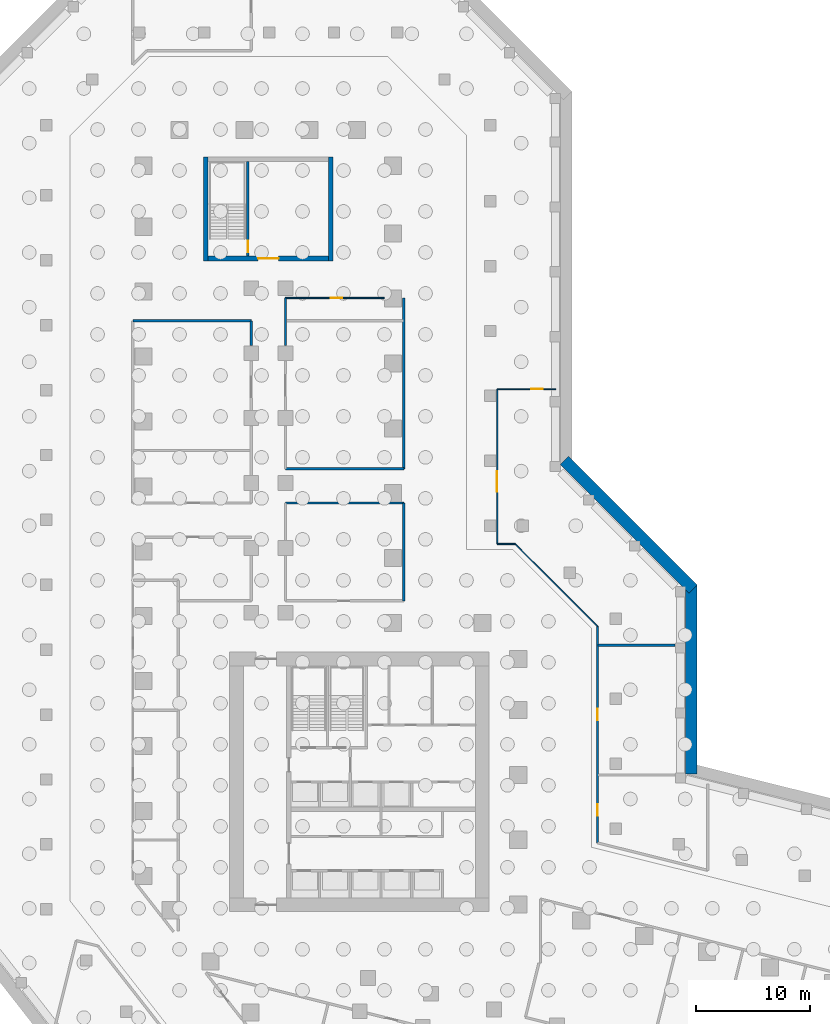
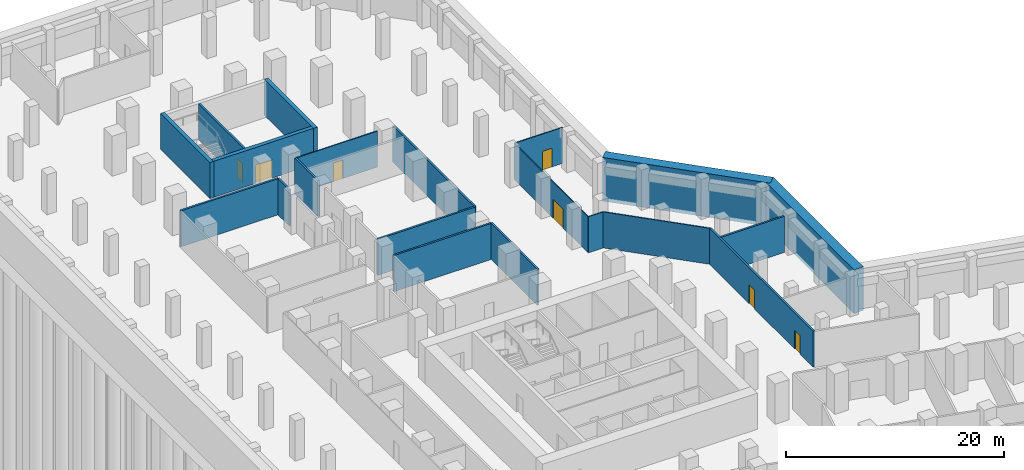
# One storey, part 11 of 15: 20 walls, 7 doors, 7 openings.
"""IFC4 building model written with IfcOpenShell, lengths in metres."""

from ifc_helpers import new_model, si_unit, direction, frame, frame_2d, origin, place, context, subcontext, project, spatial, rectangle, extrude, material, layer, layer_set, type_object, element, fill, save


model = new_model("IFC4")

# Units and contexts
model_context = context("Model", 3, precision=1e-05, world=origin(), true_north=direction((0.0, 1.0)))
body_context = subcontext(model_context, "Body", "Model", "MODEL_VIEW")
ifc_project = project(units=[si_unit("LENGTHUNIT", "METRE"), si_unit("AREAUNIT", "SQUARE_METRE"), si_unit("VOLUMEUNIT", "CUBIC_METRE"), si_unit("PLANEANGLEUNIT", "RADIAN"), si_unit("MASSUNIT", "GRAM", prefix="KILO")], contexts=[model_context])

# Site, building, storey
site_placement = place(None, origin())
site = spatial("IfcSite", under=ifc_project, at=site_placement, CompositionType="ELEMENT")
building_placement = place(site_placement, origin())
building = spatial("IfcBuilding", under=site, at=building_placement, Name="Meshkara Civic Tower", CompositionType="ELEMENT")
storey_placement = place(building_placement, frame((0.0, 0.0, -9.0)))
storey = spatial("IfcBuildingStorey", under=building, at=storey_placement, Name="B2", CompositionType="ELEMENT", Elevation=-9.0)

# Wall, opening, door
ifc_material_1 = material(Name="Corridor wall 100")
ifc_layer_1 = layer(ifc_material_1, 0.10009765625)
ifc_layer_set_1 = layer_set([ifc_layer_1], Name="Corridor wall 100")
wall_type_1 = type_object("IfcWallType", Name="Corridor wall 100", PredefinedType="PARTITIONING", material=ifc_layer_set_1)
wall_1_placement = place(storey_placement, frame((12.89990234375, 68.0, 0.0), z_axis=(0.0, 0.0, 1.0), x_axis=(1.0, 0.0, 0.0)))
wall_1 = element("IfcWall", 1, at=wall_1_placement, inside=storey, type_object=wall_type_1, Name="B2-R034", PredefinedType="PARTITIONING", context=body_context, shape_type="SweptSolid", body=[
    extrude(rectangle(XDim=8.68017578125, YDim=0.10009765625, at=frame_2d((4.340087890625, 0.0))), origin(), (0.0, 0.0, 1.0), 4.050048828125),
])
opening_1_placement = place(wall_1_placement, frame((3.97998046875, 0.0, 0.0)))
opening_1 = element("IfcOpeningElement", 2, at=opening_1_placement, cuts=wall_1, Name="Opening B2-P028", PredefinedType="OPENING", context=body_context, shape_type="SweptSolid", body=[
    extrude(rectangle(XDim=1.0, YDim=2.10009765625, at=frame_2d((0.5, 1.050048828125))), frame((0.0, 0.06005859375, 0.0), z_axis=(0.0, -1.0, 0.0), x_axis=(1.0, 0.0, 0.0)), (0.0, 0.0, 1.0), 0.1201171875),
])
ifc_material_2 = material(Name="Door 1000 x 2100")
door_type_1 = type_object("IfcDoorType", Name="Door 1000 x 2100", OperationType="SINGLE_SWING_LEFT", PredefinedType="DOOR", material=ifc_material_2)
door_1_placement = place(opening_1_placement, origin())
door_1 = element("IfcDoor", 3, at=door_1_placement, inside=storey, type_object=door_type_1, Name="B2-P028", OperationType="SINGLE_SWING_LEFT", OverallHeight=2.10009765625, OverallWidth=1.0, PredefinedType="DOOR", context=body_context, shape_type="SweptSolid", body=[
    extrude(rectangle(XDim=1.0, YDim=2.10009765625, at=frame_2d((0.5, 1.050048828125))), frame((0.0, 0.02490234375, 0.0), z_axis=(0.0, -1.0, 0.0), x_axis=(1.0, 0.0, 0.0)), (0.0, 0.0, 1.0), 0.050048828125),
])
fill(opening_1, door_1)

wall_2_placement = place(storey_placement, frame((31.5, 46.39990234375, 0.0), z_axis=(0.0, 0.0, 1.0), x_axis=(0.0, 1.0, 0.0)))
wall_2 = element("IfcWall", 4, at=wall_2_placement, inside=storey, type_object=wall_type_1, Name="B2-R043", PredefinedType="PARTITIONING", context=body_context, shape_type="SweptSolid", body=[
    extrude(rectangle(XDim=13.60009765625, YDim=0.10009765625, at=frame_2d((6.800048828125, 0.0))), origin(), (0.0, 0.0, 1.0), 4.050048828125),
])
opening_2_placement = place(wall_2_placement, frame((4.580078125, 0.0, 0.0)))
opening_2 = element("IfcOpeningElement", 5, at=opening_2_placement, cuts=wall_2, Name="Opening B2-P024", PredefinedType="OPENING", context=body_context, shape_type="SweptSolid", body=[
    extrude(rectangle(XDim=1.800048828125, YDim=2.10009765625, at=frame_2d((0.89990234375, 1.050048828125))), frame((0.0, 0.06005859375, 0.0), z_axis=(0.0, -1.0, 0.0), x_axis=(1.0, 0.0, 0.0)), (0.0, 0.0, 1.0), 0.1201171875),
])
ifc_material_3 = material(Name="Door pair 1800 x 2100")
door_type_2 = type_object("IfcDoorType", Name="Door pair 1800 x 2100", OperationType="SINGLE_SWING_LEFT", PredefinedType="DOOR", material=ifc_material_3)
door_2_placement = place(opening_2_placement, origin())
door_2 = element("IfcDoor", 6, at=door_2_placement, inside=storey, type_object=door_type_2, Name="B2-P024", OperationType="DOUBLE_DOOR_SINGLE_SWING", OverallHeight=2.10009765625, OverallWidth=1.800048828125, PredefinedType="DOOR", context=body_context, shape_type="SweptSolid", body=[
    extrude(rectangle(XDim=1.800048828125, YDim=2.10009765625, at=frame_2d((0.89990234375, 1.050048828125))), frame((0.0, 0.02490234375, 0.0), z_axis=(0.0, -1.0, 0.0), x_axis=(1.0, 0.0, 0.0)), (0.0, 0.0, 1.0), 0.050048828125),
])
fill(opening_2, door_2)

wall_3_placement = place(storey_placement, frame((31.5, 60.0, 0.0), z_axis=(0.0, 0.0, 1.0), x_axis=(1.0, 0.0, 0.0)))
wall_3 = element("IfcWall", 7, at=wall_3_placement, inside=storey, type_object=wall_type_1, Name="B2-R044", PredefinedType="PARTITIONING", context=body_context, shape_type="SweptSolid", body=[
    extrude(rectangle(XDim=5.14990234375, YDim=0.10009765625, at=frame_2d((2.574951171875, 0.0))), origin(), (0.0, 0.0, 1.0), 4.050048828125),
])
opening_3_placement = place(wall_3_placement, frame((2.97998046875, 0.0, 0.0)))
opening_3 = element("IfcOpeningElement", 8, at=opening_3_placement, cuts=wall_3, Name="Opening B2-P027", PredefinedType="OPENING", context=body_context, shape_type="SweptSolid", body=[
    extrude(rectangle(XDim=1.0, YDim=2.10009765625, at=frame_2d((0.5, 1.050048828125))), frame((0.0, 0.06005859375, 0.0), z_axis=(0.0, -1.0, 0.0), x_axis=(1.0, 0.0, 0.0)), (0.0, 0.0, 1.0), 0.1201171875),
])
door_3_placement = place(opening_3_placement, origin())
door_3 = element("IfcDoor", 9, at=door_3_placement, inside=storey, type_object=door_type_1, Name="B2-P027", OperationType="SINGLE_SWING_LEFT", OverallHeight=2.10009765625, OverallWidth=1.0, PredefinedType="DOOR", context=body_context, shape_type="SweptSolid", body=[
    extrude(rectangle(XDim=1.0, YDim=2.10009765625, at=frame_2d((0.5, 1.050048828125))), frame((0.0, 0.02490234375, 0.0), z_axis=(0.0, -1.0, 0.0), x_axis=(1.0, 0.0, 0.0)), (0.0, 0.0, 1.0), 0.050048828125),
])
fill(opening_3, door_3)

# Walls
wall_4_placement = place(storey_placement, frame((33.072021484375, 46.39990234375, 0.0), z_axis=(0.0, 0.0, 1.0), x_axis=(-1.0, 0.0, 0.0)))
element("IfcWall", 10, at=wall_4_placement, inside=storey, type_object=wall_type_1, Name="B2-R045", PredefinedType="PARTITIONING", context=body_context, shape_type="SweptSolid", body=[
    extrude(rectangle(XDim=1.572021484375, YDim=0.10009765625, at=frame_2d((0.7861328125, 0.0))), origin(), (0.0, 0.0, 1.0), 4.050048828125),
])
wall_5_placement = place(storey_placement, frame((40.300048828125, 39.172119140625, 0.0), z_axis=(0.0, 0.0, 1.0), x_axis=(-0.707118723238, 0.707094838933, 0.0)))
element("IfcWall", 11, at=wall_5_placement, inside=storey, type_object=wall_type_1, Name="B2-R052", PredefinedType="PARTITIONING", context=body_context, shape_type="SweptSolid", body=[
    extrude(rectangle(XDim=10.2216796875, YDim=0.10009765625, at=frame_2d((5.11083984375, 0.0))), origin(), (0.0, 0.0, 1.0), 4.050048828125),
])
ifc_material_4 = material(Name="Concrete C50", Category="concrete")
ifc_layer_2 = layer(ifc_material_4, 1.0)
ifc_layer_set_2 = layer_set([ifc_layer_2], Name="Diaphragm wall 1000 C50")
wall_type_2 = type_object("IfcWallType", Name="Diaphragm wall 1000 C50", PredefinedType="SOLIDWALL", material=ifc_layer_set_2)
wall_6_placement = place(storey_placement, frame((37.403564453125, 53.736572265625, -0.39990234375), z_axis=(0.0, 0.0, 1.0), x_axis=(0.707099137657, -0.707114424634, 0.0)))
element("IfcWall", 12, at=wall_6_placement, inside=storey, type_object=wall_type_2, Name="Basement perimeter wall", PredefinedType="SOLIDWALL", context=body_context, shape_type="SweptSolid", body=[
    extrude(rectangle(XDim=15.970458984375, YDim=1.0, at=frame_2d((7.9853515625, 0.0))), origin(), (0.0, 0.0, 1.0), 4.89990234375),
])
wall_7_placement = place(storey_placement, frame((48.550048828125, 42.797119140625, -0.39990234375), z_axis=(0.0, 0.0, 1.0), x_axis=(0.0, -1.0, 0.0)))
element("IfcWall", 13, at=wall_7_placement, inside=storey, type_object=wall_type_2, Name="Basement perimeter wall", PredefinedType="SOLIDWALL", context=body_context, shape_type="SweptSolid", body=[
    extrude(rectangle(XDim=16.593017578125, YDim=1.0, at=frame_2d((8.29638671875, 0.0))), origin(), (0.0, 0.0, 1.0), 4.89990234375),
])
ifc_material_5 = material(Name="Concrete C80", Category="concrete")
ifc_layer_3 = layer(ifc_material_5, 0.39990234375)
ifc_layer_set_3 = layer_set([ifc_layer_3], Name="End core ring wall 400 C80")
wall_type_3 = type_object("IfcWallType", Name="End core ring wall 400 C80", PredefinedType="SHEAR", material=ifc_layer_set_3)
for number, where, z_axis, x_axis, name in (
    (14, (5.89990234375, 71.27001953125, 0.0), (0.0, 0.0, 1.0), (0.0, 1.0, 0.0), "B2-C026"),
    (15, (16.89990234375, 71.27001953125, 0.0), (0.0, 0.0, 1.0), (0.0, 1.0, 0.0), "B2-C027"),
):
    element("IfcWall", number, at=place(storey_placement, frame(where, z_axis=z_axis, x_axis=x_axis)), inside=storey, type_object=wall_type_3, Name=name, PredefinedType="SHEAR", context=body_context, shape_type="SweptSolid", body=[
        extrude(rectangle(XDim=9.10009765625, YDim=0.39990234375, at=frame_2d((4.550048828125, 0.0))), origin(), (0.0, 0.0, 1.0), 4.050048828125),
    ])

# Wall, opening, door
wall_8_placement = place(storey_placement, frame((6.10009765625, 71.469970703125, 0.0), z_axis=(0.0, 0.0, 1.0), x_axis=(1.0, 0.0, 0.0)))
wall_8 = element("IfcWall", 16, at=wall_8_placement, inside=storey, type_object=wall_type_3, Name="B2-C028", PredefinedType="SHEAR", context=body_context, shape_type="SweptSolid", body=[
    extrude(rectangle(XDim=10.599853515625, YDim=0.39990234375, at=frame_2d((5.2998046875, 0.0))), origin(), (0.0, 0.0, 1.0), 4.050048828125),
])
opening_4_placement = place(wall_8_placement, frame((4.39990234375, 0.0, 0.0)))
opening_4 = element("IfcOpeningElement", 17, at=opening_4_placement, cuts=wall_8, Name="Opening B2-K102", PredefinedType="OPENING", context=body_context, shape_type="SweptSolid", body=[
    extrude(rectangle(XDim=1.800048828125, YDim=2.10009765625, at=frame_2d((0.89990234375, 1.050048828125))), frame((0.0, 0.2099609375, 0.0), z_axis=(0.0, -1.0, 0.0), x_axis=(1.0, 0.0, 0.0)), (0.0, 0.0, 1.0), 0.419921875),
])
ifc_material_6 = material(Name="Fire-rated door leaf in steel frame", Category="steel")
door_type_3 = type_object("IfcDoorType", Name="Core double door 1800 EI 60", OperationType="DOUBLE_DOOR_SINGLE_SWING", PredefinedType="DOOR", material=ifc_material_6)
door_4_placement = place(opening_4_placement, origin())
door_4 = element("IfcDoor", 18, at=door_4_placement, inside=storey, type_object=door_type_3, Name="B2-K102", OperationType="DOUBLE_DOOR_SINGLE_SWING", OverallHeight=2.10009765625, OverallWidth=1.800048828125, PredefinedType="DOOR", context=body_context, shape_type="SweptSolid", body=[
    extrude(rectangle(XDim=1.800048828125, YDim=2.10009765625, at=frame_2d((0.89990234375, 1.050048828125))), frame((0.0, 0.02490234375, 0.0), z_axis=(0.0, -1.0, 0.0), x_axis=(1.0, 0.0, 0.0)), (0.0, 0.0, 1.0), 0.050048828125),
])
fill(opening_4, door_4)

# Walls
ifc_material_7 = material(Name="Fire-rated wall 200")
ifc_layer_4 = layer(ifc_material_7, 0.199951171875)
ifc_layer_set_4 = layer_set([ifc_layer_4], Name="Fire-rated wall 200")
wall_type_4 = type_object("IfcWallType", Name="Fire-rated wall 200", PredefinedType="PARTITIONING", material=ifc_layer_set_4)
wall_9_placement = place(storey_placement, frame((-0.5, 66.0, 0.0), z_axis=(0.0, 0.0, 1.0), x_axis=(1.0, 0.0, 0.0)))
element("IfcWall", 19, at=wall_9_placement, inside=storey, type_object=wall_type_4, Name="B2-R007", PredefinedType="PARTITIONING", context=body_context, shape_type="SweptSolid", body=[
    extrude(rectangle(XDim=10.39990234375, YDim=0.199951171875, at=frame_2d((5.199951171875, 0.0))), origin(), (0.0, 0.0, 1.0), 4.050048828125),
])
wall_10_placement = place(storey_placement, frame((9.89990234375, 66.0, 0.0), z_axis=(0.0, 0.0, 1.0), x_axis=(0.0, -1.0, 0.0)))
element("IfcWall", 20, at=wall_10_placement, inside=storey, type_object=wall_type_4, Name="B2-R023", PredefinedType="PARTITIONING", context=body_context, shape_type="SweptSolid", body=[
    extrude(rectangle(XDim=2.179931640625, YDim=0.199951171875, at=frame_2d((1.08984375, 0.0))), origin(), (0.0, 0.0, 1.0), 4.050048828125),
])
wall_11_placement = place(storey_placement, frame((12.89990234375, 50.0, 0.0), z_axis=(0.0, 0.0, 1.0), x_axis=(1.0, 0.0, 0.0)))
element("IfcWall", 21, at=wall_11_placement, inside=storey, type_object=wall_type_4, Name="B2-R030", PredefinedType="PARTITIONING", context=body_context, shape_type="SweptSolid", body=[
    extrude(rectangle(XDim=10.400146484375, YDim=0.199951171875, at=frame_2d((5.2001953125, 0.0))), origin(), (0.0, 0.0, 1.0), 4.050048828125),
])
wall_12_placement = place(storey_placement, frame((12.89990234375, 68.0, 0.0), z_axis=(0.0, 0.0, 1.0), x_axis=(0.0, -1.0, 0.0)))
element("IfcWall", 22, at=wall_12_placement, inside=storey, type_object=wall_type_4, Name="B2-R033", PredefinedType="PARTITIONING", context=body_context, shape_type="SweptSolid", body=[
    extrude(rectangle(XDim=4.179931640625, YDim=0.199951171875, at=frame_2d((2.08984375, 0.0))), origin(), (0.0, 0.0, 1.0), 4.050048828125),
])
wall_13_placement = place(storey_placement, frame((23.300048828125, 50.0, 0.0), z_axis=(0.0, 0.0, 1.0), x_axis=(0.0, -1.0, 0.0)))
element("IfcWall", 23, at=wall_13_placement, inside=storey, type_object=wall_type_4, Name="B2-R038", PredefinedType="PARTITIONING", context=body_context, shape_type="SweptSolid", body=[
    extrude(rectangle(XDim=8.60009765625, YDim=0.199951171875, at=frame_2d((4.300048828125, 0.0))), origin(), (0.0, 0.0, 1.0), 4.050048828125),
])
wall_14_placement = place(storey_placement, frame((23.300048828125, 53.0, 0.0), z_axis=(0.0, 0.0, 1.0), x_axis=(-1.0, 0.0, 0.0)))
element("IfcWall", 24, at=wall_14_placement, inside=storey, type_object=wall_type_4, Name="B2-R039", PredefinedType="PARTITIONING", context=body_context, shape_type="SweptSolid", body=[
    extrude(rectangle(XDim=10.400146484375, YDim=0.199951171875, at=frame_2d((5.2001953125, 0.0))), origin(), (0.0, 0.0, 1.0), 4.050048828125),
])
wall_15_placement = place(storey_placement, frame((23.300048828125, 68.0, 0.0), z_axis=(0.0, 0.0, 1.0), x_axis=(0.0, -1.0, 0.0)))
element("IfcWall", 25, at=wall_15_placement, inside=storey, type_object=wall_type_4, Name="B2-R040", PredefinedType="PARTITIONING", context=body_context, shape_type="SweptSolid", body=[
    extrude(rectangle(XDim=15.0, YDim=0.199951171875, at=frame_2d((7.5, 0.0))), origin(), (0.0, 0.0, 1.0), 4.050048828125),
])

# Wall, openings, doors
wall_16_placement = place(storey_placement, frame((40.300048828125, 39.172119140625, 0.0), z_axis=(0.0, 0.0, 1.0), x_axis=(0.0, -1.0, 0.0)))
wall_16 = element("IfcWall", 26, at=wall_16_placement, inside=storey, type_object=wall_type_4, Name="B2-R051", PredefinedType="PARTITIONING", context=body_context, shape_type="SweptSolid", body=[
    extrude(rectangle(XDim=19.023193359375, YDim=0.199951171875, at=frame_2d((9.51171875, 0.0))), origin(), (0.0, 0.0, 1.0), 4.050048828125),
])
opening_5_placement = place(wall_16_placement, frame((15.652099609375, 0.0, 0.0)))
opening_5 = element("IfcOpeningElement", 27, at=opening_5_placement, cuts=wall_16, Name="Opening B2-P017", PredefinedType="OPENING", context=body_context, shape_type="SweptSolid", body=[
    extrude(rectangle(XDim=1.0, YDim=2.10009765625, at=frame_2d((0.5, 1.050048828125))), frame((0.0, 0.10986328125, 0.0), z_axis=(0.0, -1.0, 0.0), x_axis=(1.0, 0.0, 0.0)), (0.0, 0.0, 1.0), 0.219970703125),
])
opening_6_placement = place(wall_16_placement, frame((7.251953125, 0.0, 0.0)))
opening_6 = element("IfcOpeningElement", 28, at=opening_6_placement, cuts=wall_16, Name="Opening B2-P019", PredefinedType="OPENING", context=body_context, shape_type="SweptSolid", body=[
    extrude(rectangle(XDim=1.0, YDim=2.10009765625, at=frame_2d((0.5, 1.050048828125))), frame((0.0, 0.10986328125, 0.0), z_axis=(0.0, -1.0, 0.0), x_axis=(1.0, 0.0, 0.0)), (0.0, 0.0, 1.0), 0.219970703125),
])
door_5_placement = place(opening_5_placement, origin())
door_5 = element("IfcDoor", 29, at=door_5_placement, inside=storey, type_object=door_type_1, Name="B2-P017", OperationType="SINGLE_SWING_RIGHT", OverallHeight=2.10009765625, OverallWidth=1.0, PredefinedType="DOOR", context=body_context, shape_type="SweptSolid", body=[
    extrude(rectangle(XDim=1.0, YDim=2.10009765625, at=frame_2d((0.5, 1.050048828125))), frame((0.0, 0.02490234375, 0.0), z_axis=(0.0, -1.0, 0.0), x_axis=(1.0, 0.0, 0.0)), (0.0, 0.0, 1.0), 0.050048828125),
])
fill(opening_5, door_5)
door_6_placement = place(opening_6_placement, origin())
door_6 = element("IfcDoor", 30, at=door_6_placement, inside=storey, type_object=door_type_1, Name="B2-P019", OperationType="SINGLE_SWING_RIGHT", OverallHeight=2.10009765625, OverallWidth=1.0, PredefinedType="DOOR", context=body_context, shape_type="SweptSolid", body=[
    extrude(rectangle(XDim=1.0, YDim=2.10009765625, at=frame_2d((0.5, 1.050048828125))), frame((0.0, 0.02490234375, 0.0), z_axis=(0.0, -1.0, 0.0), x_axis=(1.0, 0.0, 0.0)), (0.0, 0.0, 1.0), 0.050048828125),
])
fill(opening_6, door_6)

# Wall
wall_17_placement = place(storey_placement, frame((47.1298828125, 37.5, 0.0), z_axis=(0.0, 0.0, 1.0), x_axis=(-1.0, 0.0, 0.0)))
element("IfcWall", 31, at=wall_17_placement, inside=storey, type_object=wall_type_4, Name="B2-R085", PredefinedType="PARTITIONING", context=body_context, shape_type="SweptSolid", body=[
    extrude(rectangle(XDim=6.77978515625, YDim=0.199951171875, at=frame_2d((3.389892578125, 0.0))), origin(), (0.0, 0.0, 1.0), 4.050048828125),
])

# Wall, opening, door
ifc_material_8 = material(Name="Concrete C40/50", Category="concrete")
ifc_layer_5 = layer(ifc_material_8, 0.199951171875)
ifc_layer_set_5 = layer_set([ifc_layer_5], Name="Stair enclosure wall 200 C40/50")
wall_type_5 = type_object("IfcWallType", Name="Stair enclosure wall 200 C40/50", PredefinedType="SOLIDWALL", material=ifc_layer_set_5)
wall_18_placement = place(storey_placement, frame((9.60009765625, 71.669921875, 0.0), z_axis=(0.0, 0.0, 1.0), x_axis=(0.0, 1.0, 0.0)))
wall_18 = element("IfcWall", 32, at=wall_18_placement, inside=storey, type_object=wall_type_5, Name="B2-C030", PredefinedType="SOLIDWALL", context=body_context, shape_type="SweptSolid", body=[
    extrude(rectangle(XDim=8.300048828125, YDim=0.199951171875, at=frame_2d((4.14990234375, 0.0))), origin(), (0.0, 0.0, 1.0), 4.050048828125),
])
opening_7_placement = place(wall_18_placement, frame((0.35009765625, 0.0, 0.0)))
opening_7 = element("IfcOpeningElement", 33, at=opening_7_placement, cuts=wall_18, Name="Opening B2-K101", PredefinedType="OPENING", context=body_context, shape_type="SweptSolid", body=[
    extrude(rectangle(XDim=1.0, YDim=2.10009765625, at=frame_2d((0.5, 1.050048828125))), frame((0.0, 0.10986328125, 0.0), z_axis=(0.0, -1.0, 0.0), x_axis=(1.0, 0.0, 0.0)), (0.0, 0.0, 1.0), 0.219970703125),
])
ifc_material_9 = material(Name="Fire-rated door leaf in steel frame", Category="steel")
door_type_4 = type_object("IfcDoorType", Name="Stair door 1000 EI 120", OperationType="SINGLE_SWING_LEFT", PredefinedType="DOOR", material=ifc_material_9)
door_7_placement = place(opening_7_placement, origin())
door_7 = element("IfcDoor", 34, at=door_7_placement, inside=storey, type_object=door_type_4, Name="B2-K101", OperationType="SINGLE_SWING_RIGHT", OverallHeight=2.10009765625, OverallWidth=1.0, PredefinedType="DOOR", context=body_context, shape_type="SweptSolid", body=[
    extrude(rectangle(XDim=1.0, YDim=2.10009765625, at=frame_2d((0.5, 1.050048828125))), frame((0.0, 0.02490234375, 0.0), z_axis=(0.0, -1.0, 0.0), x_axis=(1.0, 0.0, 0.0)), (0.0, 0.0, 1.0), 0.050048828125),
])
fill(opening_7, door_7)

save(model, "model.ifc")
